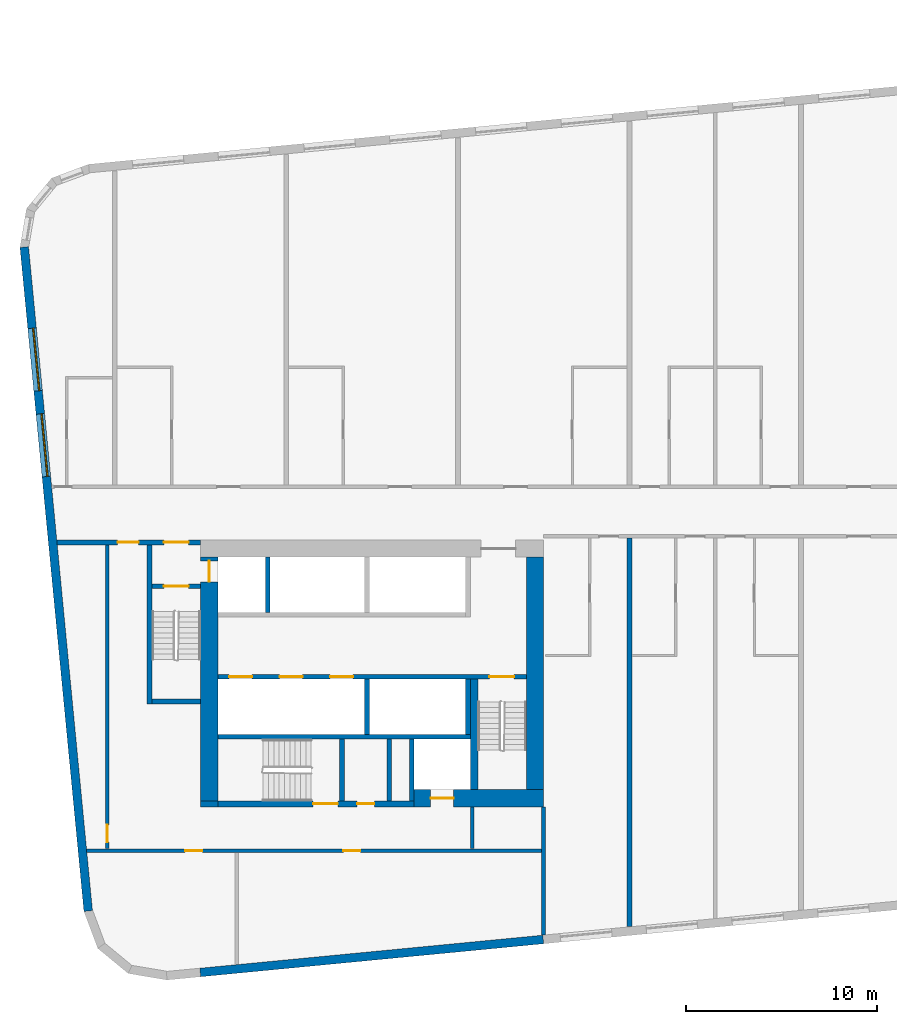
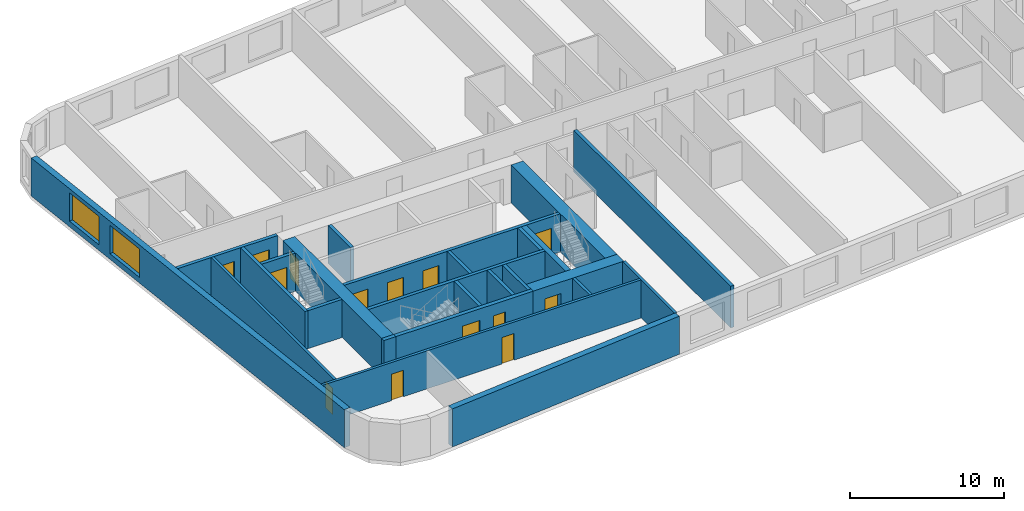
# One storey, part 2 of 12: 25 walls, 14 doors, 2 windows, 16 openings.
"""IFC4 building model written with IfcOpenShell, lengths in metres."""

from ifc_helpers import new_model, si_unit, direction, frame, frame_2d, origin, place, context, subcontext, project, spatial, rectangle, extrude, material, layer, layer_set, type_object, element, fill, save


model = new_model("IFC4")

# Units and contexts
model_context = context("Model", 3, precision=1e-05, world=origin(), true_north=direction((0.0, 1.0)))
body_context = subcontext(model_context, "Body", "Model", "MODEL_VIEW")
ifc_project = project(units=[si_unit("LENGTHUNIT", "METRE"), si_unit("AREAUNIT", "SQUARE_METRE"), si_unit("VOLUMEUNIT", "CUBIC_METRE"), si_unit("PLANEANGLEUNIT", "RADIAN"), si_unit("MASSUNIT", "GRAM", prefix="KILO")], contexts=[model_context])

# Site, building, storey
site_placement = place(None, origin())
site = spatial("IfcSite", under=ifc_project, at=site_placement, CompositionType="ELEMENT")
building_placement = place(site_placement, origin())
building = spatial("IfcBuilding", under=site, at=building_placement, Name="Kajstack Hotel Tower", CompositionType="ELEMENT")
storey_placement = place(building_placement, frame((0.0, 0.0, 137.199951171875)))
storey = spatial("IfcBuildingStorey", under=building, at=storey_placement, Name="L31", CompositionType="ELEMENT", Elevation=137.199951171875)

# Wall, opening, door
ifc_material_1 = material(Name="Concrete C60/75", Category="concrete")
ifc_layer_1 = layer(ifc_material_1, 0.89990234375)
ifc_layer_set_1 = layer_set([ifc_layer_1], Name="Core wall 900")
wall_type_1 = type_object("IfcWallType", Name="Core wall 900", PredefinedType="SHEAR", material=ifc_layer_set_1)
wall_1_placement = place(storey_placement, frame((-20.300048828125, -15.050048828125, 0.0), z_axis=(0.0, 0.0, 1.0), x_axis=(1.0, 0.0, 0.0)))
wall_1 = element("IfcWall", 1, at=wall_1_placement, inside=storey, type_object=wall_type_1, Name="Core wall W RS", PredefinedType="SHEAR", context=body_context, shape_type="SweptSolid", body=[
    extrude(rectangle(XDim=6.800048828125, YDim=0.89990234375, at=frame_2d((3.39990234375, 0.0))), origin(), (0.0, 0.0, 1.0), 3.02001953125),
])
opening_1_placement = place(wall_1_placement, frame((0.875, 0.0, 0.0)))
opening_1 = element("IfcOpeningElement", 2, at=opening_1_placement, cuts=wall_1, Name="Opening LD-SV1", PredefinedType="OPENING", context=body_context, shape_type="SweptSolid", body=[
    extrude(rectangle(XDim=1.199951171875, YDim=2.10009765625, at=frame_2d((0.60009765625, 1.050048828125))), frame((0.0, 0.4599609375, 0.0), z_axis=(0.0, -1.0, 0.0), x_axis=(1.0, 0.0, 0.0)), (0.0, 0.0, 1.0), 0.919921875),
])
ifc_material_2 = material(Name="Stainless steel", Category="steel")
door_type_1 = type_object("IfcDoorType", Name="Lift landing door 1200", OperationType="SLIDING_TO_LEFT", PredefinedType="DOOR", material=ifc_material_2)
door_1_placement = place(opening_1_placement, origin())
door_1 = element("IfcDoor", 3, at=door_1_placement, inside=storey, type_object=door_type_1, Name="Landing door SV1", OperationType="SLIDING_TO_LEFT", OverallHeight=2.10009765625, OverallWidth=1.199951171875, PredefinedType="DOOR", context=body_context, shape_type="SweptSolid", body=[
    extrude(rectangle(XDim=1.199951171875, YDim=2.10009765625, at=frame_2d((0.60009765625, 1.050048828125))), frame((0.0, 0.02490234375, 0.0), z_axis=(0.0, -1.0, 0.0), x_axis=(1.0, 0.0, 0.0)), (0.0, 0.0, 1.0), 0.050048828125),
])
fill(opening_1, door_1)

# Wall
wall_2_placement = place(storey_placement, frame((-31.5, -15.35009765625, 0.0), z_axis=(0.0, 0.0, 1.0), x_axis=(1.0, 0.0, 0.0)))
element("IfcWall", 4, at=wall_2_placement, inside=storey, type_object=wall_type_1, Name="Core wall W RSW", PredefinedType="SHEAR", context=body_context, shape_type="SweptSolid", body=[
    extrude(rectangle(XDim=0.89990234375, YDim=0.300048828125, at=frame_2d((0.449951171875, 0.0))), origin(), (0.0, 0.0, 1.0), 3.02001953125),
])

# Wall, opening, door
wall_3_placement = place(storey_placement, frame((-31.050048828125, -15.199951171875, 0.0), z_axis=(0.0, 0.0, 1.0), x_axis=(0.0, 1.0, 0.0)))
wall_3 = element("IfcWall", 5, at=wall_3_placement, inside=storey, type_object=wall_type_1, Name="Core wall W RW", PredefinedType="SHEAR", context=body_context, shape_type="SweptSolid", body=[
    extrude(rectangle(XDim=12.800048828125, YDim=0.89990234375, at=frame_2d((6.39990234375, 0.0))), origin(), (0.0, 0.0, 1.0), 3.02001953125),
])
opening_2_placement = place(wall_3_placement, frame((11.5, 0.0, 0.0)))
opening_2 = element("IfcOpeningElement", 6, at=opening_2_placement, cuts=wall_3, Name="Opening LD-FF1", PredefinedType="OPENING", context=body_context, shape_type="SweptSolid", body=[
    extrude(rectangle(XDim=1.10009765625, YDim=2.10009765625, at=frame_2d((0.550048828125, 1.050048828125))), frame((0.0, 0.4599609375, 0.0), z_axis=(0.0, -1.0, 0.0), x_axis=(1.0, 0.0, 0.0)), (0.0, 0.0, 1.0), 0.919921875),
])
door_type_2 = type_object("IfcDoorType", Name="Fire-fighting lift landing door 1100", OperationType="SLIDING_TO_LEFT", PredefinedType="DOOR", material=ifc_material_2)
door_2_placement = place(opening_2_placement, origin())
door_2 = element("IfcDoor", 7, at=door_2_placement, inside=storey, type_object=door_type_2, Name="Landing door FF1", OperationType="SLIDING_TO_RIGHT", OverallHeight=2.10009765625, OverallWidth=1.10009765625, PredefinedType="DOOR", context=body_context, shape_type="SweptSolid", body=[
    extrude(rectangle(XDim=1.10009765625, YDim=2.10009765625, at=frame_2d((0.550048828125, 1.050048828125))), frame((0.0, 0.02490234375, 0.0), z_axis=(0.0, -1.0, 0.0), x_axis=(1.0, 0.0, 0.0)), (0.0, 0.0, 1.0), 0.050048828125),
])
fill(opening_2, door_2)

# Walls
wall_4_placement = place(storey_placement, frame((-13.949951171875, -14.60009765625, 0.0), z_axis=(0.0, 0.0, 1.0), x_axis=(0.0, 1.0, 0.0)))
element("IfcWall", 8, at=wall_4_placement, inside=storey, type_object=wall_type_1, Name="Core wall W RE", PredefinedType="SHEAR", context=body_context, shape_type="SweptSolid", body=[
    extrude(rectangle(XDim=12.2001953125, YDim=0.89990234375, at=frame_2d((6.10009765625, 0.0))), origin(), (0.0, 0.0, 1.0), 3.02001953125),
])
ifc_material_3 = material(Name="Twin-frame gypsum board on steel studs, mineral wool", Category="steel")
ifc_layer_2 = layer(ifc_material_3, 0.199951171875)
ifc_layer_set_2 = layer_set([ifc_layer_2], Name="Demising wall 200")
wall_type_2 = type_object("IfcWallType", Name="Demising wall 200", PredefinedType="PARTITIONING", material=ifc_layer_set_2)
wall_5_placement = place(storey_placement, frame((-13.5, -22.23193359375, 0.0), z_axis=(0.0, 0.0, 1.0), x_axis=(0.0, 1.0, 0.0)))
element("IfcWall", 9, at=wall_5_placement, inside=storey, type_object=wall_type_2, Name="G-wall-L31-002", PredefinedType="PARTITIONING", context=body_context, shape_type="SweptSolid", body=[
    extrude(rectangle(XDim=6.73193359375, YDim=0.199951171875, at=frame_2d((3.365966796875, 0.0))), origin(), (0.0, 0.0, 1.0), 3.02001953125),
])
ifc_material_4 = material(Name="Concrete C40/50", Category="concrete")
ifc_layer_3 = layer(ifc_material_4, 0.449951171875)
ifc_layer_set_3 = layer_set([ifc_layer_3], Name="EW-CORE")
wall_type_3 = type_object("IfcWallType", Name="EW-CORE", PredefinedType="SOLIDWALL", material=ifc_layer_set_3)
wall_6_placement = place(storey_placement, frame((-31.521484375, -24.193603515625, 0.0), z_axis=(0.0, 0.0, 1.0), x_axis=(0.995396454615, 0.095843091245, 0.0)))
element("IfcWall", 10, at=wall_6_placement, inside=storey, type_object=wall_type_3, Name="E-wall-L31-04-01", PredefinedType="SOLIDWALL", context=body_context, shape_type="SweptSolid", body=[
    extrude(rectangle(XDim=18.083251953125, YDim=0.449951171875, at=frame_2d((9.04150390625, 0.0))), origin(), (0.0, 0.0, 1.0), 3.02001953125),
])

# Wall, openings, windows
ifc_material_5 = material(Name="Terracotta-faced brick masonry", Category="masonry")
ifc_layer_4 = layer(ifc_material_5, 0.449951171875)
ifc_layer_set_4 = layer_set([ifc_layer_4], Name="EW-TERRA")
wall_type_4 = type_object("IfcWallType", Name="EW-TERRA", PredefinedType="SOLIDWALL", material=ifc_layer_set_4)
wall_7_placement = place(storey_placement, frame((-40.7529296875, 13.87158203125, 0.0), z_axis=(0.0, 0.0, 1.0), x_axis=(0.095843327381, -0.995396431878, 0.0)))
wall_7 = element("IfcWall", 11, at=wall_7_placement, inside=storey, type_object=wall_type_4, Name="E-wall-L31-00-00", PredefinedType="SOLIDWALL", context=body_context, shape_type="SweptSolid", body=[
    extrude(rectangle(XDim=34.999755859375, YDim=0.449951171875, at=frame_2d((17.5, 0.0))), origin(), (0.0, 0.0, 1.0), 3.02001953125),
])
opening_3_placement = place(wall_7_placement, frame((4.27734375, 0.0, 0.449951171875)))
opening_3 = element("IfcOpeningElement", 12, at=opening_3_placement, cuts=wall_7, Name="Opening W2", PredefinedType="OPENING", context=body_context, shape_type="SweptSolid", body=[
    extrude(rectangle(XDim=3.300048828125, YDim=2.25, at=frame_2d((1.64990234375, 1.125))), frame((0.0, 0.23486328125, 0.0), z_axis=(0.0, -1.0, 0.0), x_axis=(1.0, 0.0, 0.0)), (0.0, 0.0, 1.0), 0.469970703125),
])
opening_4_placement = place(wall_7_placement, frame((8.798095703125, 0.0, 0.449951171875)))
opening_4 = element("IfcOpeningElement", 13, at=opening_4_placement, cuts=wall_7, Name="Opening W2", PredefinedType="OPENING", context=body_context, shape_type="SweptSolid", body=[
    extrude(rectangle(XDim=3.300048828125, YDim=2.25, at=frame_2d((1.64990234375, 1.125))), frame((0.0, 0.23486328125, 0.0), z_axis=(0.0, -1.0, 0.0), x_axis=(1.0, 0.0, 0.0)), (0.0, 0.0, 1.0), 0.469970703125),
])
ifc_material_6 = material(Name="Timber-aluminium window, triple glazed", Category="wood")
window_type = type_object("IfcWindowType", Name="WG2", PartitioningType="SINGLE_PANEL", PredefinedType="WINDOW", material=ifc_material_6)
window_1_placement = place(opening_3_placement, origin())
window_1 = element("IfcWindow", 14, at=window_1_placement, inside=storey, type_object=window_type, Name="Window W2 L31-00", OverallHeight=2.25, OverallWidth=3.300048828125, PartitioningType="SINGLE_PANEL", PredefinedType="WINDOW", context=body_context, shape_type="SweptSolid", body=[
    extrude(rectangle(XDim=3.300048828125, YDim=2.25, at=frame_2d((1.64990234375, 1.125))), frame((0.0, 0.090087890625, 0.0), z_axis=(0.0, -1.0, 0.0), x_axis=(1.0, 0.0, 0.0)), (0.0, 0.0, 1.0), 0.06005859375),
])
fill(opening_3, window_1)
window_2_placement = place(opening_4_placement, origin())
window_2 = element("IfcWindow", 15, at=window_2_placement, inside=storey, type_object=window_type, Name="Window W2 L31-00", OverallHeight=2.25, OverallWidth=3.300048828125, PartitioningType="SINGLE_PANEL", PredefinedType="WINDOW", context=body_context, shape_type="SweptSolid", body=[
    extrude(rectangle(XDim=3.300048828125, YDim=2.25, at=frame_2d((1.64990234375, 1.125))), frame((0.0, 0.090087890625, 0.0), z_axis=(0.0, -1.0, 0.0), x_axis=(1.0, 0.0, 0.0)), (0.0, 0.0, 1.0), 0.06005859375),
])
fill(opening_4, window_2)

# Walls
ifc_material_7 = material(Name="Concrete C50/60", Category="concrete")
ifc_layer_5 = layer(ifc_material_7, 0.300048828125)
ifc_layer_set_5 = layer_set([ifc_layer_5], Name="Hoistway divider wall 300")
wall_type_5 = type_object("IfcWallType", Name="Hoistway divider wall 300", PredefinedType="SHEAR", material=ifc_layer_set_5)
wall_8_placement = place(storey_placement, frame((-22.77490234375, -11.699951171875, 0.0), z_axis=(0.0, 0.0, 1.0), x_axis=(0.0, 1.0, 0.0)))
element("IfcWall", 16, at=wall_8_placement, inside=storey, type_object=wall_type_5, Name="Core wall W BP2", PredefinedType="SHEAR", context=body_context, shape_type="SweptSolid", body=[
    extrude(rectangle(XDim=2.89990234375, YDim=0.25, at=frame_2d((1.449951171875, 0.0))), origin(), (0.0, 0.0, 1.0), 3.02001953125),
])
ifc_material_8 = material(Name="Concrete C55/67", Category="concrete")
ifc_layer_6 = layer(ifc_material_8, 0.25)
ifc_layer_set_6 = layer_set([ifc_layer_6], Name="RC cross wall 250 C55/67")
wall_type_6 = type_object("IfcWallType", Name="RC cross wall 250 C55/67", PredefinedType="SHEAR", material=ifc_layer_set_6)
wall_9_placement = place(storey_placement, frame((-9.0, -21.777099609375, 0.0), z_axis=(0.0, 0.0, 1.0), x_axis=(0.0, 1.0, 0.0)))
element("IfcWall", 17, at=wall_9_placement, inside=storey, type_object=wall_type_6, Name="S-wall-L31-04", PredefinedType="SHEAR", context=body_context, shape_type="SweptSolid", body=[
    extrude(rectangle(XDim=20.377197265625, YDim=0.25, at=frame_2d((10.1884765625, 0.0))), origin(), (0.0, 0.0, 1.0), 3.300048828125),
])
ifc_material_9 = material(Name="Concrete block masonry", Category="masonry")
ifc_layer_7 = layer(ifc_material_9, 0.25)
ifc_layer_set_7 = layer_set([ifc_layer_7], Name="Riser partition 250")
wall_type_7 = type_object("IfcWallType", Name="Riser partition 250", PredefinedType="PARTITIONING", material=ifc_layer_set_7)
wall_10_placement = place(storey_placement, frame((-21.60009765625, -15.199951171875, 0.0), z_axis=(0.0, 0.0, 1.0), x_axis=(0.0, 1.0, 0.0)))
element("IfcWall", 18, at=wall_10_placement, inside=storey, type_object=wall_type_7, Name="Partition W SZ0", PredefinedType="PARTITIONING", context=body_context, shape_type="SweptSolid", body=[
    extrude(rectangle(XDim=3.25, YDim=0.25, at=frame_2d((1.625, 0.0))), origin(), (0.0, 0.0, 1.0), 3.02001953125),
])

# Wall, openings, doors
ifc_material_10 = material(Name="Gypsum board on steel studs, mineral wool", Category="steel")
ifc_layer_8 = layer(ifc_material_10, 0.199951171875)
ifc_layer_set_8 = layer_set([ifc_layer_8], Name="Service partition 200")
wall_type_8 = type_object("IfcWallType", Name="Service partition 200", PredefinedType="PARTITIONING", material=ifc_layer_set_8)
wall_11_placement = place(storey_placement, frame((-39.034912109375, -1.625, 0.0), z_axis=(0.0, 0.0, 1.0), x_axis=(1.0, 0.0, 0.0)))
wall_11 = element("IfcWall", 19, at=wall_11_placement, inside=storey, type_object=wall_type_8, Name="Partition W SN", PredefinedType="PARTITIONING", context=body_context, shape_type="SweptSolid", body=[
    extrude(rectangle(XDim=7.534912109375, YDim=0.25, at=frame_2d((3.767578125, 0.0))), origin(), (0.0, 0.0, 1.0), 3.02001953125),
])
opening_5_placement = place(wall_11_placement, frame((5.60986328125, 0.0, 0.0)))
opening_5 = element("IfcOpeningElement", 20, at=opening_5_placement, cuts=wall_11, Name="Opening 31W07", PredefinedType="OPENING", context=body_context, shape_type="SweptSolid", body=[
    extrude(rectangle(XDim=1.300048828125, YDim=2.10009765625, at=frame_2d((0.64990234375, 1.050048828125))), frame((0.0, 0.135009765625, 0.0), z_axis=(0.0, -1.0, 0.0), x_axis=(1.0, 0.0, 0.0)), (0.0, 0.0, 1.0), 0.27001953125),
])
opening_6_placement = place(wall_11_placement, frame((3.184814453125, 0.0, 0.0)))
opening_6 = element("IfcOpeningElement", 21, at=opening_6_placement, cuts=wall_11, Name="Opening 31W09", PredefinedType="OPENING", context=body_context, shape_type="SweptSolid", body=[
    extrude(rectangle(XDim=1.10009765625, YDim=2.10009765625, at=frame_2d((0.550048828125, 1.050048828125))), frame((0.0, 0.135009765625, 0.0), z_axis=(0.0, -1.0, 0.0), x_axis=(1.0, 0.0, 0.0)), (0.0, 0.0, 1.0), 0.27001953125),
])
ifc_material_11 = material(Name="Steel leaf, fire-rated", Category="steel")
door_type_3 = type_object("IfcDoorType", Name="Fire lobby door 1300", OperationType="SINGLE_SWING_LEFT", PredefinedType="DOOR", material=ifc_material_11)
door_3_placement = place(opening_5_placement, origin())
door_3 = element("IfcDoor", 22, at=door_3_placement, inside=storey, type_object=door_type_3, Name="Door 31W07", OperationType="SINGLE_SWING_RIGHT", OverallHeight=2.10009765625, OverallWidth=1.300048828125, PredefinedType="DOOR", context=body_context, shape_type="SweptSolid", body=[
    extrude(rectangle(XDim=1.300048828125, YDim=2.10009765625, at=frame_2d((0.64990234375, 1.050048828125))), frame((0.0, 0.02490234375, 0.0), z_axis=(0.0, -1.0, 0.0), x_axis=(1.0, 0.0, 0.0)), (0.0, 0.0, 1.0), 0.050048828125),
])
fill(opening_5, door_3)
ifc_material_12 = material(Name="Timber leaf, fire-rated", Category="wood")
door_type_4 = type_object("IfcDoorType", Name="Service corridor door 1100", OperationType="SINGLE_SWING_LEFT", PredefinedType="DOOR", material=ifc_material_12)
door_4_placement = place(opening_6_placement, origin())
door_4 = element("IfcDoor", 23, at=door_4_placement, inside=storey, type_object=door_type_4, Name="Door 31W09", OperationType="SINGLE_SWING_RIGHT", OverallHeight=2.10009765625, OverallWidth=1.10009765625, PredefinedType="DOOR", context=body_context, shape_type="SweptSolid", body=[
    extrude(rectangle(XDim=1.10009765625, YDim=2.10009765625, at=frame_2d((0.550048828125, 1.050048828125))), frame((0.0, 0.02490234375, 0.0), z_axis=(0.0, -1.0, 0.0), x_axis=(1.0, 0.0, 0.0)), (0.0, 0.0, 1.0), 0.050048828125),
])
fill(opening_6, door_4)

# Wall
wall_12_placement = place(storey_placement, frame((-17.25, -17.699951171875, 0.0), z_axis=(0.0, 0.0, 1.0), x_axis=(0.0, 1.0, 0.0)))
element("IfcWall", 24, at=wall_12_placement, inside=storey, type_object=wall_type_8, Name="Partition W SCE", PredefinedType="PARTITIONING", context=body_context, shape_type="SweptSolid", body=[
    extrude(rectangle(XDim=2.199951171875, YDim=0.199951171875, at=frame_2d((1.10009765625, 0.0))), origin(), (0.0, 0.0, 1.0), 3.02001953125),
])

# Wall, opening, door
wall_13_placement = place(storey_placement, frame((-36.39990234375, -17.699951171875, 0.0), z_axis=(0.0, 0.0, 1.0), x_axis=(0.0, 1.0, 0.0)))
wall_13 = element("IfcWall", 25, at=wall_13_placement, inside=storey, type_object=wall_type_8, Name="Partition W WRE", PredefinedType="PARTITIONING", context=body_context, shape_type="SweptSolid", body=[
    extrude(rectangle(XDim=15.949951171875, YDim=0.199951171875, at=frame_2d((7.97509765625, 0.0))), origin(), (0.0, 0.0, 1.0), 3.02001953125),
])
opening_7_placement = place(wall_13_placement, frame((0.35009765625, 0.0, 0.0)))
opening_7 = element("IfcOpeningElement", 26, at=opening_7_placement, cuts=wall_13, Name="Opening 31W15", PredefinedType="OPENING", context=body_context, shape_type="SweptSolid", body=[
    extrude(rectangle(XDim=0.89990234375, YDim=2.10009765625, at=frame_2d((0.449951171875, 1.050048828125))), frame((0.0, 0.10986328125, 0.0), z_axis=(0.0, -1.0, 0.0), x_axis=(1.0, 0.0, 0.0)), (0.0, 0.0, 1.0), 0.219970703125),
])
door_type_5 = type_object("IfcDoorType", Name="Service door 900", OperationType="SINGLE_SWING_LEFT", PredefinedType="DOOR", material=ifc_material_12)
door_5_placement = place(opening_7_placement, origin())
door_5 = element("IfcDoor", 27, at=door_5_placement, inside=storey, type_object=door_type_5, Name="Door 31W15", OperationType="SINGLE_SWING_LEFT", OverallHeight=2.10009765625, OverallWidth=0.89990234375, PredefinedType="DOOR", context=body_context, shape_type="SweptSolid", body=[
    extrude(rectangle(XDim=0.89990234375, YDim=2.10009765625, at=frame_2d((0.449951171875, 1.050048828125))), frame((0.0, 0.02490234375, 0.0), z_axis=(0.0, -1.0, 0.0), x_axis=(1.0, 0.0, 0.0)), (0.0, 0.0, 1.0), 0.050048828125),
])
fill(opening_7, door_5)

# Wall, openings, doors
wall_14_placement = place(storey_placement, frame((-37.477294921875, -17.800048828125, 0.0), z_axis=(0.0, 0.0, 1.0), x_axis=(1.0, 0.0, 0.0)))
wall_14 = element("IfcWall", 28, at=wall_14_placement, inside=storey, type_object=wall_type_8, Name="Partition W SLN", PredefinedType="PARTITIONING", context=body_context, shape_type="SweptSolid", body=[
    extrude(rectangle(XDim=23.877197265625, YDim=0.199951171875, at=frame_2d((11.9384765625, 0.0))), origin(), (0.0, 0.0, 1.0), 3.02001953125),
])
opening_8_placement = place(wall_14_placement, frame((5.164794921875, 0.0, 0.0)))
opening_8 = element("IfcOpeningElement", 29, at=opening_8_placement, cuts=wall_14, Name="Opening 31W13", PredefinedType="OPENING", context=body_context, shape_type="SweptSolid", body=[
    extrude(rectangle(XDim=0.89990234375, YDim=2.10009765625, at=frame_2d((0.449951171875, 1.050048828125))), frame((0.0, 0.10986328125, 0.0), z_axis=(0.0, -1.0, 0.0), x_axis=(1.0, 0.0, 0.0)), (0.0, 0.0, 1.0), 0.219970703125),
])
opening_9_placement = place(wall_14_placement, frame((13.46484375, 0.0, 0.0)))
opening_9 = element("IfcOpeningElement", 30, at=opening_9_placement, cuts=wall_14, Name="Opening 31W14", PredefinedType="OPENING", context=body_context, shape_type="SweptSolid", body=[
    extrude(rectangle(XDim=0.89990234375, YDim=2.10009765625, at=frame_2d((0.449951171875, 1.050048828125))), frame((0.0, 0.10986328125, 0.0), z_axis=(0.0, -1.0, 0.0), x_axis=(1.0, 0.0, 0.0)), (0.0, 0.0, 1.0), 0.219970703125),
])
door_6_placement = place(opening_8_placement, origin())
door_6 = element("IfcDoor", 31, at=door_6_placement, inside=storey, type_object=door_type_5, Name="Door 31W13", OperationType="SINGLE_SWING_RIGHT", OverallHeight=2.10009765625, OverallWidth=0.89990234375, PredefinedType="DOOR", context=body_context, shape_type="SweptSolid", body=[
    extrude(rectangle(XDim=0.89990234375, YDim=2.10009765625, at=frame_2d((0.449951171875, 1.050048828125))), frame((0.0, 0.02490234375, 0.0), z_axis=(0.0, -1.0, 0.0), x_axis=(1.0, 0.0, 0.0)), (0.0, 0.0, 1.0), 0.050048828125),
])
fill(opening_8, door_6)
door_7_placement = place(opening_9_placement, origin())
door_7 = element("IfcDoor", 32, at=door_7_placement, inside=storey, type_object=door_type_5, Name="Door 31W14", OperationType="SINGLE_SWING_RIGHT", OverallHeight=2.10009765625, OverallWidth=0.89990234375, PredefinedType="DOOR", context=body_context, shape_type="SweptSolid", body=[
    extrude(rectangle(XDim=0.89990234375, YDim=2.10009765625, at=frame_2d((0.449951171875, 1.050048828125))), frame((0.0, 0.02490234375, 0.0), z_axis=(0.0, -1.0, 0.0), x_axis=(1.0, 0.0, 0.0)), (0.0, 0.0, 1.0), 0.050048828125),
])
fill(opening_9, door_7)

ifc_layer_9 = layer(ifc_material_7, 0.25)
ifc_layer_set_9 = layer_set([ifc_layer_9], Name="Shaft wall 250")
wall_type_9 = type_object("IfcWallType", Name="Shaft wall 250", PredefinedType="SHEAR", material=ifc_layer_set_9)
wall_15_placement = place(storey_placement, frame((-30.60009765625, -15.35009765625, 0.0), z_axis=(0.0, 0.0, 1.0), x_axis=(1.0, 0.0, 0.0)))
wall_15 = element("IfcWall", 33, at=wall_15_placement, inside=storey, type_object=wall_type_9, Name="Core wall W RSS", PredefinedType="SHEAR", context=body_context, shape_type="SweptSolid", body=[
    extrude(rectangle(XDim=10.300048828125, YDim=0.300048828125, at=frame_2d((5.14990234375, 0.0))), origin(), (0.0, 0.0, 1.0), 3.02001953125),
])
opening_10_placement = place(wall_15_placement, frame((5.0, 0.0, 0.0)))
opening_10 = element("IfcOpeningElement", 34, at=opening_10_placement, cuts=wall_15, Name="Opening 31W11", PredefinedType="OPENING", context=body_context, shape_type="SweptSolid", body=[
    extrude(rectangle(XDim=1.300048828125, YDim=2.10009765625, at=frame_2d((0.64990234375, 1.050048828125))), frame((0.0, 0.159912109375, 0.0), z_axis=(0.0, -1.0, 0.0), x_axis=(1.0, 0.0, 0.0)), (0.0, 0.0, 1.0), 0.320068359375),
])
opening_11_placement = place(wall_15_placement, frame((7.3125, 0.0, 0.0)))
opening_11 = element("IfcOpeningElement", 35, at=opening_11_placement, cuts=wall_15, Name="Opening 31W12", PredefinedType="OPENING", context=body_context, shape_type="SweptSolid", body=[
    extrude(rectangle(XDim=0.89990234375, YDim=2.10009765625, at=frame_2d((0.449951171875, 1.050048828125))), frame((0.0, 0.159912109375, 0.0), z_axis=(0.0, -1.0, 0.0), x_axis=(1.0, 0.0, 0.0)), (0.0, 0.0, 1.0), 0.320068359375),
])
door_8_placement = place(opening_11_placement, origin())
door_8 = element("IfcDoor", 36, at=door_8_placement, inside=storey, type_object=door_type_5, Name="Door 31W12", OperationType="SINGLE_SWING_LEFT", OverallHeight=2.10009765625, OverallWidth=0.89990234375, PredefinedType="DOOR", context=body_context, shape_type="SweptSolid", body=[
    extrude(rectangle(XDim=0.89990234375, YDim=2.10009765625, at=frame_2d((0.449951171875, 1.050048828125))), frame((0.0, 0.02490234375, 0.0), z_axis=(0.0, -1.0, 0.0), x_axis=(1.0, 0.0, 0.0)), (0.0, 0.0, 1.0), 0.050048828125),
])
fill(opening_11, door_8)
door_type_6 = type_object("IfcDoorType", Name="Stair door 1300", OperationType="SINGLE_SWING_LEFT", PredefinedType="DOOR", material=ifc_material_11)
door_9_placement = place(opening_10_placement, origin())
door_9 = element("IfcDoor", 37, at=door_9_placement, inside=storey, type_object=door_type_6, Name="Door 31W11", OperationType="SINGLE_SWING_RIGHT", OverallHeight=2.10009765625, OverallWidth=1.300048828125, PredefinedType="DOOR", context=body_context, shape_type="SweptSolid", body=[
    extrude(rectangle(XDim=1.300048828125, YDim=2.10009765625, at=frame_2d((0.64990234375, 1.050048828125))), frame((0.0, 0.02490234375, 0.0), z_axis=(0.0, -1.0, 0.0), x_axis=(1.0, 0.0, 0.0)), (0.0, 0.0, 1.0), 0.050048828125),
])
fill(opening_10, door_9)

# Wall
wall_16_placement = place(storey_placement, frame((-27.97509765625, -5.300048828125, 0.0), z_axis=(0.0, 0.0, 1.0), x_axis=(0.0, 1.0, 0.0)))
element("IfcWall", 38, at=wall_16_placement, inside=storey, type_object=wall_type_9, Name="Core wall W AP0", PredefinedType="SHEAR", context=body_context, shape_type="SweptSolid", body=[
    extrude(rectangle(XDim=2.900146484375, YDim=0.25, at=frame_2d((1.4501953125, 0.0))), origin(), (0.0, 0.0, 1.0), 3.02001953125),
])

# Wall, openings, doors
wall_17_placement = place(storey_placement, frame((-30.60009765625, -8.675048828125, 0.0), z_axis=(0.0, 0.0, 1.0), x_axis=(1.0, 0.0, 0.0)))
wall_17 = element("IfcWall", 39, at=wall_17_placement, inside=storey, type_object=wall_type_9, Name="Core wall W FB", PredefinedType="SHEAR", context=body_context, shape_type="SweptSolid", body=[
    extrude(rectangle(XDim=16.2001953125, YDim=0.25, at=frame_2d((8.10009765625, 0.0))), origin(), (0.0, 0.0, 1.0), 3.02001953125),
])
opening_12_placement = place(wall_17_placement, frame((0.60009765625, 0.0, 0.0)))
opening_12 = element("IfcOpeningElement", 40, at=opening_12_placement, cuts=wall_17, Name="Opening LD-LR1", PredefinedType="OPENING", context=body_context, shape_type="SweptSolid", body=[
    extrude(rectangle(XDim=1.199951171875, YDim=2.10009765625, at=frame_2d((0.60009765625, 1.050048828125))), frame((0.0, 0.135009765625, 0.0), z_axis=(0.0, -1.0, 0.0), x_axis=(1.0, 0.0, 0.0)), (0.0, 0.0, 1.0), 0.27001953125),
])
opening_13_placement = place(wall_17_placement, frame((3.25, 0.0, 0.0)))
opening_13 = element("IfcOpeningElement", 41, at=opening_13_placement, cuts=wall_17, Name="Opening LD-LR2", PredefinedType="OPENING", context=body_context, shape_type="SweptSolid", body=[
    extrude(rectangle(XDim=1.199951171875, YDim=2.10009765625, at=frame_2d((0.60009765625, 1.050048828125))), frame((0.0, 0.135009765625, 0.0), z_axis=(0.0, -1.0, 0.0), x_axis=(1.0, 0.0, 0.0)), (0.0, 0.0, 1.0), 0.27001953125),
])
opening_14_placement = place(wall_17_placement, frame((5.89990234375, 0.0, 0.0)))
opening_14 = element("IfcOpeningElement", 42, at=opening_14_placement, cuts=wall_17, Name="Opening LD-LR3", PredefinedType="OPENING", context=body_context, shape_type="SweptSolid", body=[
    extrude(rectangle(XDim=1.199951171875, YDim=2.10009765625, at=frame_2d((0.60009765625, 1.050048828125))), frame((0.0, 0.135009765625, 0.0), z_axis=(0.0, -1.0, 0.0), x_axis=(1.0, 0.0, 0.0)), (0.0, 0.0, 1.0), 0.27001953125),
])
opening_15_placement = place(wall_17_placement, frame((14.25, 0.0, 0.0)))
opening_15 = element("IfcOpeningElement", 43, at=opening_15_placement, cuts=wall_17, Name="Opening 31W10", PredefinedType="OPENING", context=body_context, shape_type="SweptSolid", body=[
    extrude(rectangle(XDim=1.300048828125, YDim=2.10009765625, at=frame_2d((0.64990234375, 1.050048828125))), frame((0.0, 0.135009765625, 0.0), z_axis=(0.0, -1.0, 0.0), x_axis=(1.0, 0.0, 0.0)), (0.0, 0.0, 1.0), 0.27001953125),
])
door_10_placement = place(opening_12_placement, origin())
door_10 = element("IfcDoor", 44, at=door_10_placement, inside=storey, type_object=door_type_1, Name="Landing door LR1", OperationType="SLIDING_TO_LEFT", OverallHeight=2.10009765625, OverallWidth=1.199951171875, PredefinedType="DOOR", context=body_context, shape_type="SweptSolid", body=[
    extrude(rectangle(XDim=1.199951171875, YDim=2.10009765625, at=frame_2d((0.60009765625, 1.050048828125))), frame((0.0, 0.02490234375, 0.0), z_axis=(0.0, -1.0, 0.0), x_axis=(1.0, 0.0, 0.0)), (0.0, 0.0, 1.0), 0.050048828125),
])
fill(opening_12, door_10)
door_11_placement = place(opening_13_placement, origin())
door_11 = element("IfcDoor", 45, at=door_11_placement, inside=storey, type_object=door_type_1, Name="Landing door LR2", OperationType="SLIDING_TO_RIGHT", OverallHeight=2.10009765625, OverallWidth=1.199951171875, PredefinedType="DOOR", context=body_context, shape_type="SweptSolid", body=[
    extrude(rectangle(XDim=1.199951171875, YDim=2.10009765625, at=frame_2d((0.60009765625, 1.050048828125))), frame((0.0, 0.02490234375, 0.0), z_axis=(0.0, -1.0, 0.0), x_axis=(1.0, 0.0, 0.0)), (0.0, 0.0, 1.0), 0.050048828125),
])
fill(opening_13, door_11)
door_12_placement = place(opening_14_placement, origin())
door_12 = element("IfcDoor", 46, at=door_12_placement, inside=storey, type_object=door_type_1, Name="Landing door LR3", OperationType="SLIDING_TO_RIGHT", OverallHeight=2.10009765625, OverallWidth=1.199951171875, PredefinedType="DOOR", context=body_context, shape_type="SweptSolid", body=[
    extrude(rectangle(XDim=1.199951171875, YDim=2.10009765625, at=frame_2d((0.60009765625, 1.050048828125))), frame((0.0, 0.02490234375, 0.0), z_axis=(0.0, -1.0, 0.0), x_axis=(1.0, 0.0, 0.0)), (0.0, 0.0, 1.0), 0.050048828125),
])
fill(opening_14, door_12)
door_13_placement = place(opening_15_placement, origin())
door_13 = element("IfcDoor", 47, at=door_13_placement, inside=storey, type_object=door_type_6, Name="Door 31W10", OperationType="SINGLE_SWING_RIGHT", OverallHeight=2.10009765625, OverallWidth=1.300048828125, PredefinedType="DOOR", context=body_context, shape_type="SweptSolid", body=[
    extrude(rectangle(XDim=1.300048828125, YDim=2.10009765625, at=frame_2d((0.64990234375, 1.050048828125))), frame((0.0, 0.02490234375, 0.0), z_axis=(0.0, -1.0, 0.0), x_axis=(1.0, 0.0, 0.0)), (0.0, 0.0, 1.0), 0.050048828125),
])
fill(opening_15, door_13)

# Walls
wall_18_placement = place(storey_placement, frame((-30.60009765625, -11.824951171875, 0.0), z_axis=(0.0, 0.0, 1.0), x_axis=(1.0, 0.0, 0.0)))
element("IfcWall", 48, at=wall_18_placement, inside=storey, type_object=wall_type_9, Name="Core wall W RB", PredefinedType="SHEAR", context=body_context, shape_type="SweptSolid", body=[
    extrude(rectangle(XDim=13.25, YDim=0.25, at=frame_2d((6.625, 0.0))), origin(), (0.0, 0.0, 1.0), 3.02001953125),
])
wall_19_placement = place(storey_placement, frame((-17.47509765625, -11.699951171875, 0.0), z_axis=(0.0, 0.0, 1.0), x_axis=(0.0, 1.0, 0.0)))
element("IfcWall", 49, at=wall_19_placement, inside=storey, type_object=wall_type_9, Name="Core wall W BE", PredefinedType="SHEAR", context=body_context, shape_type="SweptSolid", body=[
    extrude(rectangle(XDim=2.89990234375, YDim=0.25, at=frame_2d((1.449951171875, 0.0))), origin(), (0.0, 0.0, 1.0), 3.02001953125),
])
wall_20_placement = place(storey_placement, frame((-20.425048828125, -15.199951171875, 0.0), z_axis=(0.0, 0.0, 1.0), x_axis=(0.0, 1.0, 0.0)))
element("IfcWall", 50, at=wall_20_placement, inside=storey, type_object=wall_type_9, Name="Core wall W SVW", PredefinedType="SHEAR", context=body_context, shape_type="SweptSolid", body=[
    extrude(rectangle(XDim=3.25, YDim=0.25, at=frame_2d((1.625, 0.0))), origin(), (0.0, 0.0, 1.0), 3.02001953125),
])

# Wall, opening, door
ifc_layer_10 = layer(ifc_material_4, 0.25)
ifc_layer_set_10 = layer_set([ifc_layer_10], Name="Stair enclosure wall 250")
wall_type_10 = type_object("IfcWallType", Name="Stair enclosure wall 250", PredefinedType="SHEAR", material=ifc_layer_set_10)
wall_21_placement = place(storey_placement, frame((-34.050048828125, -3.925048828125, 0.0), z_axis=(0.0, 0.0, 1.0), x_axis=(1.0, 0.0, 0.0)))
wall_21 = element("IfcWall", 51, at=wall_21_placement, inside=storey, type_object=wall_type_10, Name="Core wall W W1N", PredefinedType="SHEAR", context=body_context, shape_type="SweptSolid", body=[
    extrude(rectangle(XDim=2.550048828125, YDim=0.25, at=frame_2d((1.27490234375, 0.0))), origin(), (0.0, 0.0, 1.0), 3.02001953125),
])
opening_16_placement = place(wall_21_placement, frame((0.625, 0.0, 0.0)))
opening_16 = element("IfcOpeningElement", 52, at=opening_16_placement, cuts=wall_21, Name="Opening 31W08", PredefinedType="OPENING", context=body_context, shape_type="SweptSolid", body=[
    extrude(rectangle(XDim=1.300048828125, YDim=2.10009765625, at=frame_2d((0.64990234375, 1.050048828125))), frame((0.0, 0.135009765625, 0.0), z_axis=(0.0, -1.0, 0.0), x_axis=(1.0, 0.0, 0.0)), (0.0, 0.0, 1.0), 0.27001953125),
])
door_14_placement = place(opening_16_placement, origin())
door_14 = element("IfcDoor", 53, at=door_14_placement, inside=storey, type_object=door_type_6, Name="Door 31W08", OperationType="SINGLE_SWING_RIGHT", OverallHeight=2.10009765625, OverallWidth=1.300048828125, PredefinedType="DOOR", context=body_context, shape_type="SweptSolid", body=[
    extrude(rectangle(XDim=1.300048828125, YDim=2.10009765625, at=frame_2d((0.64990234375, 1.050048828125))), frame((0.0, 0.02490234375, 0.0), z_axis=(0.0, -1.0, 0.0), x_axis=(1.0, 0.0, 0.0)), (0.0, 0.0, 1.0), 0.050048828125),
])
fill(opening_16, door_14)

# Walls
wall_22_placement = place(storey_placement, frame((-34.175048828125, -10.10009765625, 0.0), z_axis=(0.0, 0.0, 1.0), x_axis=(0.0, 1.0, 0.0)))
element("IfcWall", 54, at=wall_22_placement, inside=storey, type_object=wall_type_10, Name="Core wall W W1W", PredefinedType="SHEAR", context=body_context, shape_type="SweptSolid", body=[
    extrude(rectangle(XDim=8.35009765625, YDim=0.25, at=frame_2d((4.175048828125, 0.0))), origin(), (0.0, 0.0, 1.0), 3.02001953125),
])
wall_23_placement = place(storey_placement, frame((-34.050048828125, -9.97509765625, 0.0), z_axis=(0.0, 0.0, 1.0), x_axis=(1.0, 0.0, 0.0)))
element("IfcWall", 55, at=wall_23_placement, inside=storey, type_object=wall_type_10, Name="Core wall W W1S", PredefinedType="SHEAR", context=body_context, shape_type="SweptSolid", body=[
    extrude(rectangle(XDim=2.550048828125, YDim=0.25, at=frame_2d((1.27490234375, 0.0))), origin(), (0.0, 0.0, 1.0), 3.02001953125),
])
ifc_layer_11 = layer(ifc_material_7, 0.35009765625)
ifc_layer_set_11 = layer_set([ifc_layer_11], Name="Stair enclosure wall 350")
wall_type_11 = type_object("IfcWallType", Name="Stair enclosure wall 350", PredefinedType="SHEAR", material=ifc_layer_set_11)
wall_24_placement = place(storey_placement, frame((-24.074951171875, -15.199951171875, 0.0), z_axis=(0.0, 0.0, 1.0), x_axis=(0.0, 1.0, 0.0)))
element("IfcWall", 56, at=wall_24_placement, inside=storey, type_object=wall_type_11, Name="Core wall W W3E", PredefinedType="SHEAR", context=body_context, shape_type="SweptSolid", body=[
    extrude(rectangle(XDim=3.25, YDim=0.25, at=frame_2d((1.625, 0.0))), origin(), (0.0, 0.0, 1.0), 3.02001953125),
])
ifc_layer_12 = layer(ifc_material_7, 0.39990234375)
ifc_layer_set_12 = layer_set([ifc_layer_12], Name="Stair wall 400")
wall_type_12 = type_object("IfcWallType", Name="Stair wall 400", PredefinedType="SHEAR", material=ifc_layer_set_12)
wall_25_placement = place(storey_placement, frame((-17.14990234375, -14.60009765625, 0.0), z_axis=(0.0, 0.0, 1.0), x_axis=(0.0, 1.0, 0.0)))
element("IfcWall", 57, at=wall_25_placement, inside=storey, type_object=wall_type_12, Name="Core wall W WW2", PredefinedType="SHEAR", context=body_context, shape_type="SweptSolid", body=[
    extrude(rectangle(XDim=5.800048828125, YDim=0.39990234375, at=frame_2d((2.89990234375, 0.0))), origin(), (0.0, 0.0, 1.0), 3.02001953125),
])

save(model, "model.ifc")
